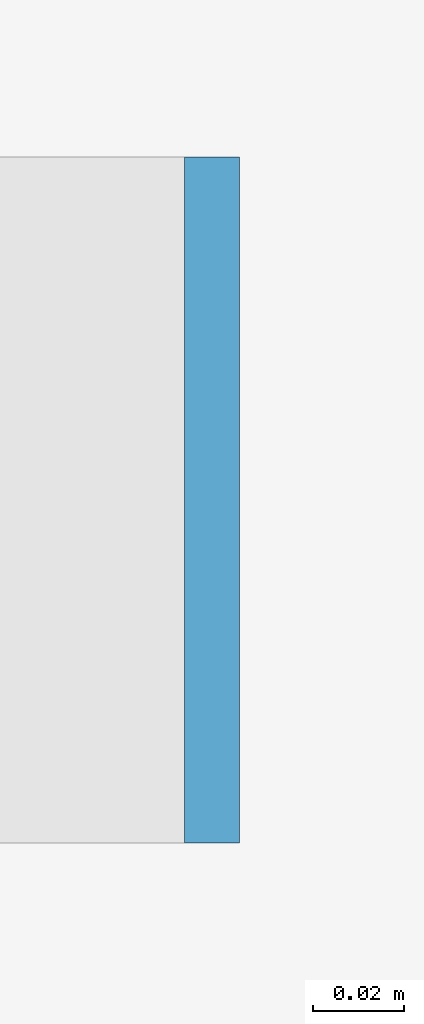
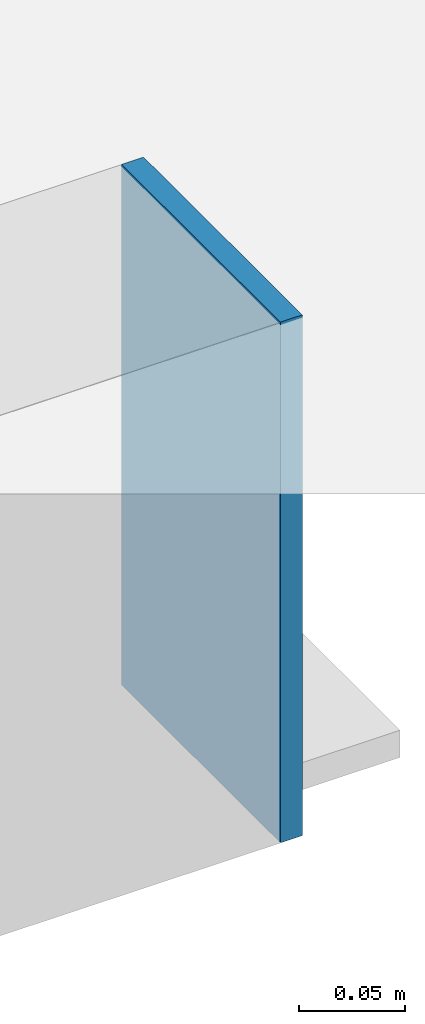
# One storey, part 80 of 98: 1 discrete accessory.
"""IFC4 building model written with IfcOpenShell, lengths in metres."""

from ifc_helpers import new_model, si_unit, direction, frame, origin, place, context, subcontext, project, spatial, polyline, outline, extrude, material, layer, layer_set, type_object, element, save


model = new_model("IFC4")

# Units and contexts
model_context = context("Model", 3, precision=1e-05, world=origin(), true_north=direction((0.0, 1.0)))
body_context = subcontext(model_context, "Body", "Model", "MODEL_VIEW")
ifc_project = project(units=[si_unit("LENGTHUNIT", "METRE"), si_unit("AREAUNIT", "SQUARE_METRE"), si_unit("VOLUMEUNIT", "CUBIC_METRE"), si_unit("PLANEANGLEUNIT", "RADIAN"), si_unit("MASSUNIT", "GRAM", prefix="KILO")], contexts=[model_context])

# Site, building, storey
site_placement = place(None, origin())
site = spatial("IfcSite", under=ifc_project, at=site_placement, CompositionType="ELEMENT")
building_placement = place(site_placement, origin())
building = spatial("IfcBuilding", under=site, at=building_placement, Name="Kisiwana Market Hall", CompositionType="ELEMENT")
storey_placement = place(building_placement, frame((0.0, 0.0, 29.39990234375)))
storey = spatial("IfcBuildingStorey", under=building, at=storey_placement, Name="L06", CompositionType="ELEMENT", Elevation=29.39990234375)

# Discrete accessory
ifc_material = material(Name="Steel S355", Category="steel")
ifc_layer = layer(ifc_material, 0.011962890625)
ifc_layer_set = layer_set([ifc_layer], Name="ACC-ENDCAP-STL")
discrete_accessory_type = type_object("IfcDiscreteAccessoryType", Name="ACC-ENDCAP-STL", PredefinedType="USERDEFINED", material=ifc_layer_set)
discrete_accessory_placement = place(storey_placement, frame((0.0, 0.0, -0.544921875)))
element("IfcDiscreteAccessory", 1, at=discrete_accessory_placement, inside=storey, type_object=discrete_accessory_type, Name="End cap plate EC-0086", ObjectType="End cap plate", PredefinedType="USERDEFINED", context=body_context, shape_type="SweptSolid", body=[
    extrude(outline(polyline([(170.85400390625, 101.925048828125), (170.865966796875, 101.925048828125), (170.865966796875, 102.074951171875), (170.85400390625, 102.074951171875), (170.85400390625, 101.925048828125)])), origin(), (0.0, 0.0, 1.0), 0.300048828125),
])

save(model, "model.ifc")
